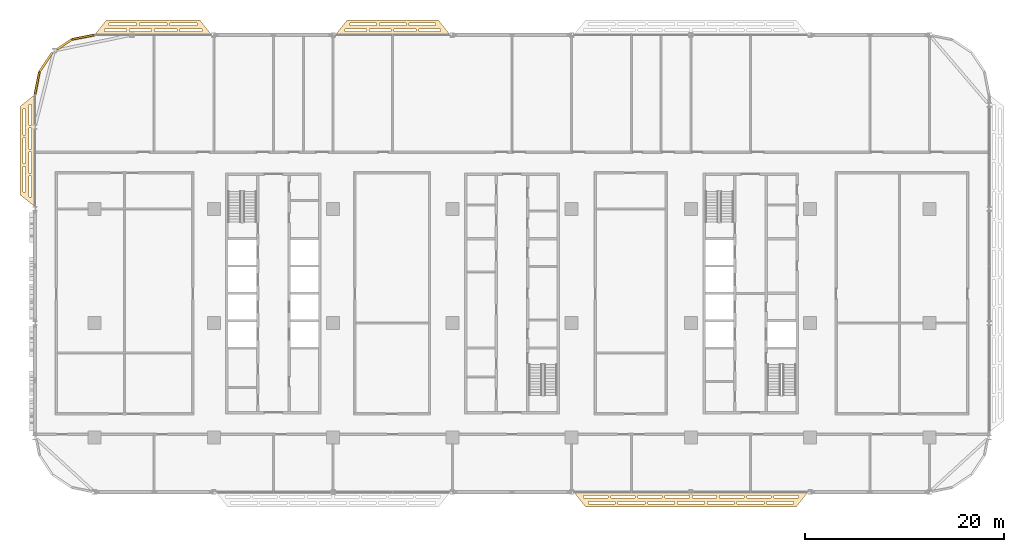
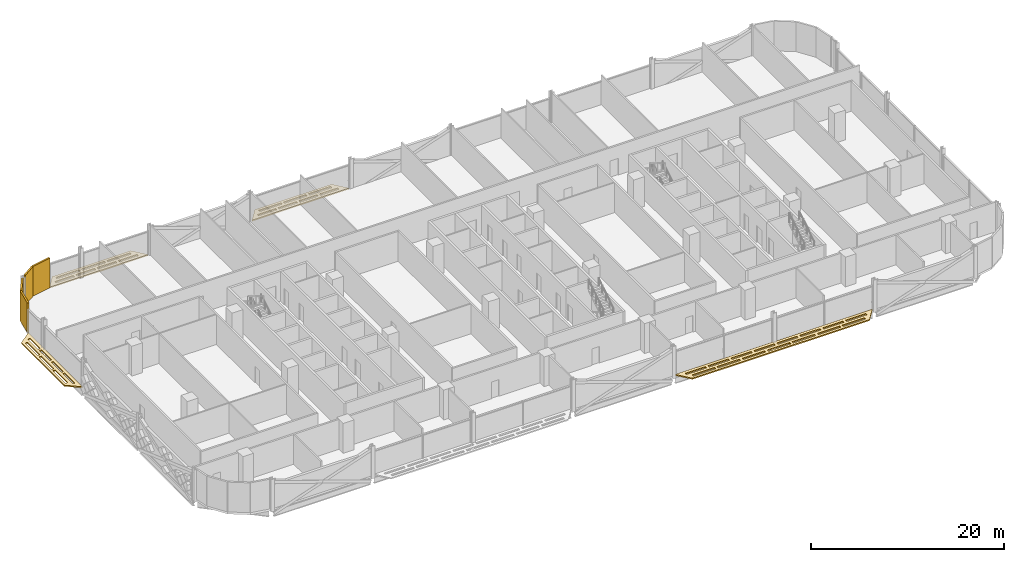
# One storey, part 26 of 28: 8 coverings.
"""IFC4 building model written with IfcOpenShell, lengths in metres."""

import ifcopenshell
import ifcopenshell.guid

model = None  # the IFC model being written
_history = None  # IfcOwnerHistory: only IFC2X3 demands one
_inside = {}  # id of a spatial element -> (the spatial element, [elements in it])
_under = {}  # id of a project, library or spatial element -> (it, [spatial elements below it])
_declared = {}  # id of a project -> (the project, [libraries it declares])
_typed = {}  # id of a type object -> (the type object, [elements of that type])
_made_of = {}  # id of a material, layer set ... -> (it, [elements and type objects made of it])


def new_model(schema):
    """Start an empty IFC model of exactly this schema.

    Asked for "IFC4X3", IfcOpenShell would pick the latest addendum, in which some entities
    have other attributes; the version numbers below select the first issue.
    IFC2X3 requires an IfcOwnerHistory on every rooted entity: one is made here for all.
    """
    global model, _history
    if schema == "IFC4X3":
        model = ifcopenshell.file(schema_version=(4, 3, 0, 0))
    else:
        model = ifcopenshell.file(schema=schema)
    _inside.clear()
    _under.clear()
    _declared.clear()
    _typed.clear()
    _made_of.clear()
    _history = None
    if model.schema == "IFC2X3":
        org = make("IfcOrganization", Name="unknown")
        user = make(
            "IfcPersonAndOrganization",
            ThePerson=make("IfcPerson", FamilyName="unknown"),
            TheOrganization=org,
        )
        app = make(
            "IfcApplication",
            ApplicationDeveloper=org,
            Version="unknown",
            ApplicationFullName="unknown",
            ApplicationIdentifier="unknown",
        )
        _history = make(
            "IfcOwnerHistory",
            OwningUser=user,
            OwningApplication=app,
            ChangeAction="ADDED",
            CreationDate=0,
        )
    return model


def make(cls, **values):
    """One entity of the class cls with the attributes given. An attribute that is None is left unset."""
    return model.create_entity(
        cls, **{name: value for name, value in values.items() if value is not None}
    )


def rooted(cls, **values):
    """An entity with a GlobalId (a new one), such as an element, a storey or a relation."""
    return make(cls, GlobalId=ifcopenshell.guid.new(), OwnerHistory=_history, **values)


def si_unit(unit_type, name, prefix=None):
    """IfcSIUnit, for example si_unit("LENGTHUNIT", "METRE", prefix="MILLI")."""
    return make("IfcSIUnit", UnitType=unit_type, Prefix=prefix, Name=name)


def assignment(units):
    """IfcUnitAssignment: the units of a project."""
    return None if units is None else make("IfcUnitAssignment", Units=units)


def point(xyz):
    """IfcCartesianPoint."""
    return None if xyz is None else make("IfcCartesianPoint", Coordinates=xyz)


def direction(xyz):
    """IfcDirection."""
    return None if xyz is None else make("IfcDirection", DirectionRatios=xyz)


def frame(location, z_axis=None, x_axis=None):
    """IfcAxis2Placement3D, a coordinate frame: its origin and axes. An axis left out is left unset."""
    return make(
        "IfcAxis2Placement3D",
        Location=point(location),
        Axis=direction(z_axis),
        RefDirection=direction(x_axis),
    )


def frame_2d(location, x_axis=None):
    """IfcAxis2Placement2D, a coordinate frame in the plane: its origin and x axis."""
    return make(
        "IfcAxis2Placement2D", Location=point(location), RefDirection=direction(x_axis)
    )


def origin():
    """The frame at (0, 0, 0) with its axes left unset."""
    return frame((0.0, 0.0, 0.0))


def origin_2d():
    """The frame at (0, 0) in the plane with its x axis left unset."""
    return frame_2d((0.0, 0.0))


def place(relative_to, where):
    """IfcLocalPlacement: puts the frame where relative to a parent placement (None: the world)."""
    return make(
        "IfcLocalPlacement", PlacementRelTo=relative_to, RelativePlacement=where
    )


def context(
    kind, dimensions, precision=None, world=None, true_north=None, identifier=None
):
    """IfcGeometricRepresentationContext, for example the 3D "Model" context."""
    return make(
        "IfcGeometricRepresentationContext",
        ContextIdentifier=identifier,
        ContextType=kind,
        CoordinateSpaceDimension=dimensions,
        Precision=precision,
        WorldCoordinateSystem=world,
        TrueNorth=true_north,
    )


def subcontext(parent, identifier, kind, view, scale=None):
    """IfcGeometricRepresentationSubContext, for example "Body" below "Model"."""
    return make(
        "IfcGeometricRepresentationSubContext",
        ContextIdentifier=identifier,
        ContextType=kind,
        ParentContext=parent,
        TargetScale=scale,
        TargetView=view,
    )


def project(units=None, contexts=None):
    """IfcProject with its units and contexts."""
    return rooted(
        "IfcProject",
        Name="project",
        RepresentationContexts=contexts,
        UnitsInContext=assignment(units),
    )


def spatial(cls, under=None, at=None, **own):
    """A site, building, storey or space (cls), placed at a placement, below another one or the project."""
    s = rooted(cls, ObjectPlacement=at, **own)
    if under is not None:
        _under.setdefault(under.id(), (under, []))[1].append(s)
    return s


def polyline(points):
    """IfcPolyline through the points."""
    return make("IfcPolyline", Points=[point(p) for p in points])


def profile(cls, at=None, kind="AREA", **sizes):
    """A parametric profile (cls). Its sizes go by their IFC names, for example OverallWidth=200.0."""
    return make(cls, ProfileType=kind, Position=at, **sizes)


def rectangle(**sizes):
    """IfcRectangleProfileDef."""
    return profile("IfcRectangleProfileDef", **sizes)


def outline(outer, holes=None, kind="AREA"):
    """IfcArbitraryClosedProfileDef: a profile drawn as a closed curve; with holes, ...WithVoids."""
    if holes is None:
        return make("IfcArbitraryClosedProfileDef", ProfileType=kind, OuterCurve=outer)
    return make(
        "IfcArbitraryProfileDefWithVoids",
        ProfileType=kind,
        OuterCurve=outer,
        InnerCurves=holes,
    )


def extrude(swept, where, along, depth):
    """IfcExtrudedAreaSolid: the profile swept, set in the frame where, extruded along a direction by depth."""
    return make(
        "IfcExtrudedAreaSolid",
        SweptArea=swept,
        Position=where,
        ExtrudedDirection=direction(along),
        Depth=depth,
    )


def shape(context_of_items, identifier, shape_type, items):
    """IfcShapeRepresentation: the items that make up one representation, for example the "Body"."""
    return make(
        "IfcShapeRepresentation",
        ContextOfItems=context_of_items,
        RepresentationIdentifier=identifier,
        RepresentationType=shape_type,
        Items=items,
    )


def material(Name=None, Category=None):
    """IfcMaterial."""
    return make("IfcMaterial", Name=Name, Category=Category)


def layer(
    of_material, thickness, ventilated=None, Name=None, Category=None, Priority=None
):
    """IfcMaterialLayer: one layer of a wall or slab, of a material (None: an air gap)."""
    return make(
        "IfcMaterialLayer",
        Material=of_material,
        LayerThickness=thickness,
        IsVentilated=ventilated,
        Name=Name,
        Category=Category,
        Priority=Priority,
    )


def layer_set(layers, Name=None):
    """IfcMaterialLayerSet."""
    return make("IfcMaterialLayerSet", MaterialLayers=layers, LayerSetName=Name)


def made_of(thing, what):
    """Note that an element or type object is made of a material, layer set ...; save() writes the relation."""
    if what is not None:
        _made_of.setdefault(what.id(), (what, []))[1].append(thing)
    return thing


def type_object(cls, material=None, **own):
    """A type object (cls), such as IfcWallType, which elements share."""
    return made_of(rooted(cls, **own), material)


def element(
    cls,
    number,
    at=None,
    inside=None,
    cuts=None,
    type_object=None,
    material=None,
    context=None,
    identifier="Body",
    shape_type=None,
    held_by="IfcProductDefinitionShape",
    body=None,
    shapes=None,
    **own,
):
    """One element of the class cls, such as IfcWall. Its Tag is "e" and its number.

    at: its placement. inside: the storey or other place that contains it. cuts: it is an
    opening in that element (IfcRelVoidsElement). A single representation is given by context,
    identifier, shape_type and body (its items); several are given by shapes. held_by: the class
    of the entity that holds the representations. save() writes the other relations.
    """
    e = rooted(cls, Tag="e%d" % number, ObjectPlacement=at, **own)
    if body is not None:
        shapes = [shape(context, identifier, shape_type, body)]
    if shapes is not None:
        e.Representation = make(held_by, Representations=shapes)
    if inside is not None:
        _inside.setdefault(inside.id(), (inside, []))[1].append(e)
    if cuts is not None:
        rooted(
            "IfcRelVoidsElement", RelatingBuildingElement=cuts, RelatedOpeningElement=e
        )
    if type_object is not None:
        _typed.setdefault(type_object.id(), (type_object, []))[1].append(e)
    return made_of(e, material)


def aggregate(whole, parts):
    """IfcRelAggregates: a whole, such as a stair, and the parts it consists of."""
    return rooted("IfcRelAggregates", RelatingObject=whole, RelatedObjects=parts)


def save(model, path):
    """Write the relations noted so far, then the file.

    IfcRelAggregates (storeys below a building ...), IfcRelContainedInSpatialStructure (elements
    in a storey), IfcRelDefinesByType, IfcRelAssociatesMaterial and IfcRelDeclares: one each for
    every whole, place, type object, material and project.
    """
    for whole, parts in _under.values():
        aggregate(whole, parts)
    for where, things in _inside.values():
        rooted(
            "IfcRelContainedInSpatialStructure",
            RelatedElements=things,
            RelatingStructure=where,
        )
    for kind, things in _typed.values():
        rooted("IfcRelDefinesByType", RelatedObjects=things, RelatingType=kind)
    for what, things in _made_of.values():
        rooted("IfcRelAssociatesMaterial", RelatedObjects=things, RelatingMaterial=what)
    for by, libraries in _declared.values():
        rooted("IfcRelDeclares", RelatingContext=by, RelatedDefinitions=libraries)
    model.write(path)


model = new_model("IFC4")

# Units and contexts
model_context = context("Model", 3, precision=1e-05, world=origin(), true_north=direction((0.0, 1.0)))
body_context = subcontext(model_context, "Body", "Model", "MODEL_VIEW")
ifc_project = project(units=[si_unit("LENGTHUNIT", "METRE"), si_unit("AREAUNIT", "SQUARE_METRE"), si_unit("VOLUMEUNIT", "CUBIC_METRE"), si_unit("PLANEANGLEUNIT", "RADIAN"), si_unit("MASSUNIT", "GRAM", prefix="KILO")], contexts=[model_context])

# Site, building, storey
site_placement = place(None, origin())
site = spatial("IfcSite", under=ifc_project, at=site_placement, CompositionType="ELEMENT")
building_placement = place(site_placement, origin())
building = spatial("IfcBuilding", under=site, at=building_placement, Name="Mahtab Terrace Research Tower", CompositionType="ELEMENT")
storey_placement = place(building_placement, frame((0.0, 0.0, 130.199951171875)))
storey = spatial("IfcBuildingStorey", under=building, at=storey_placement, Name="L30", CompositionType="ELEMENT", Elevation=130.199951171875)

# Coverings
ifc_material_1 = material(Name="Black aluminium cladding panel", Category="aluminium")
ifc_layer_1 = layer(ifc_material_1, 0.199951171875)
ifc_layer_set_1 = layer_set([ifc_layer_1], Name="Black metal corner cladding 200")
covering_type_1 = type_object("IfcCoveringType", Name="Black metal corner cladding 200", PredefinedType="CLADDING", material=ifc_layer_set_1)
covering_1_placement = place(storey_placement, frame((-43.14794921875, 28.771484375, 0.0), z_axis=(0.0, 0.0, 1.0), x_axis=(-0.980760981187, -0.195212442692, 0.0)))
element("IfcCovering", 1, at=covering_1_placement, inside=storey, type_object=covering_type_1, Name="Corner cladding L30 11", PredefinedType="CLADDING", context=body_context, shape_type="SweptSolid", body=[
    extrude(rectangle(XDim=2.30126953125, YDim=0.199951171875, at=origin_2d()), origin(), (0.0, 0.0, 1.0), 3.760009765625),
])
covering_2_placement = place(storey_placement, frame((-45.049560546875, 28.039794921875, 0.0), z_axis=(0.0, 0.0, 1.0), x_axis=(-0.831655794326, -0.555291490808, 0.0)))
element("IfcCovering", 2, at=covering_2_placement, inside=storey, type_object=covering_type_1, Name="Corner cladding L30 12", PredefinedType="CLADDING", context=body_context, shape_type="SweptSolid", body=[
    extrude(rectangle(XDim=1.772216796875, YDim=0.199951171875, at=origin_2d()), origin(), (0.0, 0.0, 1.0), 3.760009765625),
])
for number, where, z_axis, x_axis, name in (
    (3, (-46.89306640625, 26.26953125, 0.0), (0.0, 0.0, 1.0), (-0.555291490808, -0.831655794326, 0.0), "Corner cladding L30 13"),
    (4, (-47.771484375, 24.14794921875, 0.0), (0.0, 0.0, 1.0), (-0.195212442692, -0.980760981187, 0.0), "Corner cladding L30 14"),
):
    element("IfcCovering", number, at=place(storey_placement, frame(where, z_axis=z_axis, x_axis=x_axis)), inside=storey, type_object=covering_type_1, Name=name, PredefinedType="CLADDING", context=body_context, shape_type="SweptSolid", body=[
        extrude(rectangle(XDim=2.30126953125, YDim=0.199951171875, at=origin_2d()), origin(), (0.0, 0.0, 1.0), 3.760009765625),
    ])
ifc_material_2 = material(Name="Black anodised aluminium", Category="aluminium")
ifc_layer_2 = layer(ifc_material_2, 0.14990234375)
ifc_layer_set_2 = layer_set([ifc_layer_2], Name="Horizontal sunshade band")
covering_type_2 = type_object("IfcCoveringType", Name="Horizontal sunshade band", PredefinedType="CLADDING", material=ifc_layer_set_2)
covering_3_placement = place(storey_placement, frame((0.0, 0.0, -0.14990234375)))
element("IfcCovering", 5, at=covering_3_placement, inside=storey, type_object=covering_type_2, Name="Sunshade band L30 7", PredefinedType="CLADDING", context=body_context, shape_type="SweptSolid", body=[
    extrude(outline(polyline([(-6.218017578125, 29.0), (-17.781982421875, 29.0), (-16.58203125, 30.5), (-7.41796875, 30.5), (-6.218017578125, 29.0)]), holes=[polyline([(-7.197998046875, 29.35009765625), (-9.3740234375, 29.35009765625), (-9.3740234375, 29.60009765625), (-7.197998046875, 29.60009765625), (-7.197998046875, 29.35009765625)]), polyline([(-9.674072265625, 29.35009765625), (-11.85009765625, 29.35009765625), (-11.85009765625, 29.60009765625), (-9.674072265625, 29.60009765625), (-9.674072265625, 29.35009765625)]), polyline([(-12.14990234375, 29.35009765625), (-14.325927734375, 29.35009765625), (-14.325927734375, 29.60009765625), (-12.14990234375, 29.60009765625), (-12.14990234375, 29.35009765625)]), polyline([(-14.6259765625, 29.35009765625), (-16.802001953125, 29.35009765625), (-16.802001953125, 29.60009765625), (-14.6259765625, 29.60009765625), (-14.6259765625, 29.35009765625)]), polyline([(-7.677978515625, 29.949951171875), (-10.35888671875, 29.949951171875), (-10.35888671875, 30.199951171875), (-7.677978515625, 30.199951171875), (-7.677978515625, 29.949951171875)]), polyline([(-10.658935546875, 29.949951171875), (-13.341064453125, 29.949951171875), (-13.341064453125, 30.199951171875), (-10.658935546875, 30.199951171875), (-10.658935546875, 29.949951171875)]), polyline([(-13.64111328125, 29.949951171875), (-16.322021484375, 29.949951171875), (-16.322021484375, 30.199951171875), (-13.64111328125, 30.199951171875), (-13.64111328125, 29.949951171875)])]), origin(), (0.0, 0.0, 1.0), 0.14990234375),
])
covering_4_placement = place(storey_placement, frame((0.0, 0.0, -0.14990234375)))
element("IfcCovering", 6, at=covering_4_placement, inside=storey, type_object=covering_type_2, Name="Sunshade band L30 9", PredefinedType="CLADDING", context=body_context, shape_type="SweptSolid", body=[
    extrude(outline(polyline([(-30.218017578125, 29.0), (-42.0, 29.0), (-40.800048828125, 30.5), (-31.41796875, 30.5), (-30.218017578125, 29.0)]), holes=[polyline([(-31.197998046875, 29.35009765625), (-33.427978515625, 29.35009765625), (-33.427978515625, 29.60009765625), (-31.197998046875, 29.60009765625), (-31.197998046875, 29.35009765625)]), polyline([(-33.72900390625, 29.35009765625), (-35.958984375, 29.35009765625), (-35.958984375, 29.60009765625), (-33.72900390625, 29.60009765625), (-33.72900390625, 29.35009765625)]), polyline([(-36.259033203125, 29.35009765625), (-38.489013671875, 29.35009765625), (-38.489013671875, 29.60009765625), (-36.259033203125, 29.60009765625), (-36.259033203125, 29.35009765625)]), polyline([(-38.7900390625, 29.35009765625), (-41.02001953125, 29.35009765625), (-41.02001953125, 29.60009765625), (-38.7900390625, 29.60009765625), (-38.7900390625, 29.35009765625)]), polyline([(-31.677978515625, 29.949951171875), (-34.431884765625, 29.949951171875), (-34.431884765625, 30.199951171875), (-31.677978515625, 30.199951171875), (-31.677978515625, 29.949951171875)]), polyline([(-34.73193359375, 29.949951171875), (-37.486083984375, 29.949951171875), (-37.486083984375, 30.199951171875), (-34.73193359375, 30.199951171875), (-34.73193359375, 29.949951171875)]), polyline([(-37.785888671875, 29.949951171875), (-40.5400390625, 29.949951171875), (-40.5400390625, 30.199951171875), (-37.785888671875, 30.199951171875), (-37.785888671875, 29.949951171875)])]), origin(), (0.0, 0.0, 1.0), 0.14990234375),
])
covering_5_placement = place(storey_placement, frame((0.0, 0.0, -0.14990234375)))
element("IfcCovering", 7, at=covering_5_placement, inside=storey, type_object=covering_type_2, Name="Sunshade band L30 15", PredefinedType="CLADDING", context=body_context, shape_type="SweptSolid", body=[
    extrude(outline(polyline([(-48.0, 23.0), (-48.0, 11.718017578125), (-49.5, 12.91796875), (-49.5, 21.800048828125), (-48.0, 23.0)]), holes=[polyline([(-48.35009765625, 22.02001953125), (-48.35009765625, 19.9150390625), (-48.60009765625, 19.9150390625), (-48.60009765625, 22.02001953125), (-48.35009765625, 22.02001953125)]), polyline([(-48.35009765625, 19.614013671875), (-48.35009765625, 17.509033203125), (-48.60009765625, 17.509033203125), (-48.60009765625, 19.614013671875), (-48.35009765625, 19.614013671875)]), polyline([(-48.35009765625, 17.208984375), (-48.35009765625, 15.10400390625), (-48.60009765625, 15.10400390625), (-48.60009765625, 17.208984375), (-48.35009765625, 17.208984375)]), polyline([(-48.35009765625, 14.803955078125), (-48.35009765625, 12.697998046875), (-48.60009765625, 12.697998046875), (-48.60009765625, 14.803955078125), (-48.35009765625, 14.803955078125)]), polyline([(-48.949951171875, 21.5400390625), (-48.949951171875, 18.952880859375), (-49.199951171875, 18.952880859375), (-49.199951171875, 21.5400390625), (-48.949951171875, 21.5400390625)]), polyline([(-48.949951171875, 18.653076171875), (-48.949951171875, 16.06494140625), (-49.199951171875, 16.06494140625), (-49.199951171875, 18.653076171875), (-48.949951171875, 18.653076171875)]), polyline([(-48.949951171875, 15.764892578125), (-48.949951171875, 13.177978515625), (-49.199951171875, 13.177978515625), (-49.199951171875, 15.764892578125), (-48.949951171875, 15.764892578125)])]), origin(), (0.0, 0.0, 1.0), 0.14990234375),
])
covering_6_placement = place(storey_placement, frame((0.0, 0.0, -0.14990234375)))
element("IfcCovering", 8, at=covering_6_placement, inside=storey, type_object=covering_type_2, Name="Sunshade band L30 28", PredefinedType="CLADDING", context=body_context, shape_type="SweptSolid", body=[
    extrude(outline(polyline([(6.218017578125, -17.0), (29.781982421875, -17.0), (28.58203125, -18.5), (7.41796875, -18.5), (6.218017578125, -17.0)]), holes=[polyline([(7.197998046875, -17.35009765625), (9.635986328125, -17.35009765625), (9.635986328125, -17.60009765625), (7.197998046875, -17.60009765625), (7.197998046875, -17.35009765625)]), polyline([(9.93603515625, -17.35009765625), (12.3740234375, -17.35009765625), (12.3740234375, -17.60009765625), (9.93603515625, -17.60009765625), (9.93603515625, -17.35009765625)]), polyline([(12.674072265625, -17.35009765625), (15.112060546875, -17.35009765625), (15.112060546875, -17.60009765625), (12.674072265625, -17.60009765625), (12.674072265625, -17.35009765625)]), polyline([(15.412109375, -17.35009765625), (17.85009765625, -17.35009765625), (17.85009765625, -17.60009765625), (15.412109375, -17.60009765625), (15.412109375, -17.35009765625)]), polyline([(18.14990234375, -17.35009765625), (20.587890625, -17.35009765625), (20.587890625, -17.60009765625), (18.14990234375, -17.60009765625), (18.14990234375, -17.35009765625)]), polyline([(20.887939453125, -17.35009765625), (23.325927734375, -17.35009765625), (23.325927734375, -17.60009765625), (20.887939453125, -17.60009765625), (20.887939453125, -17.35009765625)]), polyline([(23.6259765625, -17.35009765625), (26.06396484375, -17.35009765625), (26.06396484375, -17.60009765625), (23.6259765625, -17.60009765625), (23.6259765625, -17.35009765625)]), polyline([(26.364013671875, -17.35009765625), (28.802001953125, -17.35009765625), (28.802001953125, -17.60009765625), (26.364013671875, -17.60009765625), (26.364013671875, -17.35009765625)]), polyline([(7.677978515625, -17.949951171875), (10.3701171875, -17.949951171875), (10.3701171875, -18.199951171875), (7.677978515625, -18.199951171875), (7.677978515625, -17.949951171875)]), polyline([(10.669921875, -17.949951171875), (13.362060546875, -17.949951171875), (13.362060546875, -18.199951171875), (10.669921875, -18.199951171875), (10.669921875, -17.949951171875)]), polyline([(13.662109375, -17.949951171875), (16.35400390625, -17.949951171875), (16.35400390625, -18.199951171875), (13.662109375, -18.199951171875), (13.662109375, -17.949951171875)]), polyline([(16.654052734375, -17.949951171875), (19.345947265625, -17.949951171875), (19.345947265625, -18.199951171875), (16.654052734375, -18.199951171875), (16.654052734375, -17.949951171875)]), polyline([(19.64599609375, -17.949951171875), (22.337890625, -17.949951171875), (22.337890625, -18.199951171875), (19.64599609375, -18.199951171875), (19.64599609375, -17.949951171875)]), polyline([(22.637939453125, -17.949951171875), (25.330078125, -17.949951171875), (25.330078125, -18.199951171875), (22.637939453125, -18.199951171875), (22.637939453125, -17.949951171875)]), polyline([(25.6298828125, -17.949951171875), (28.322021484375, -17.949951171875), (28.322021484375, -18.199951171875), (25.6298828125, -18.199951171875), (25.6298828125, -17.949951171875)])]), origin(), (0.0, 0.0, 1.0), 0.14990234375),
])

save(model, "model.ifc")
